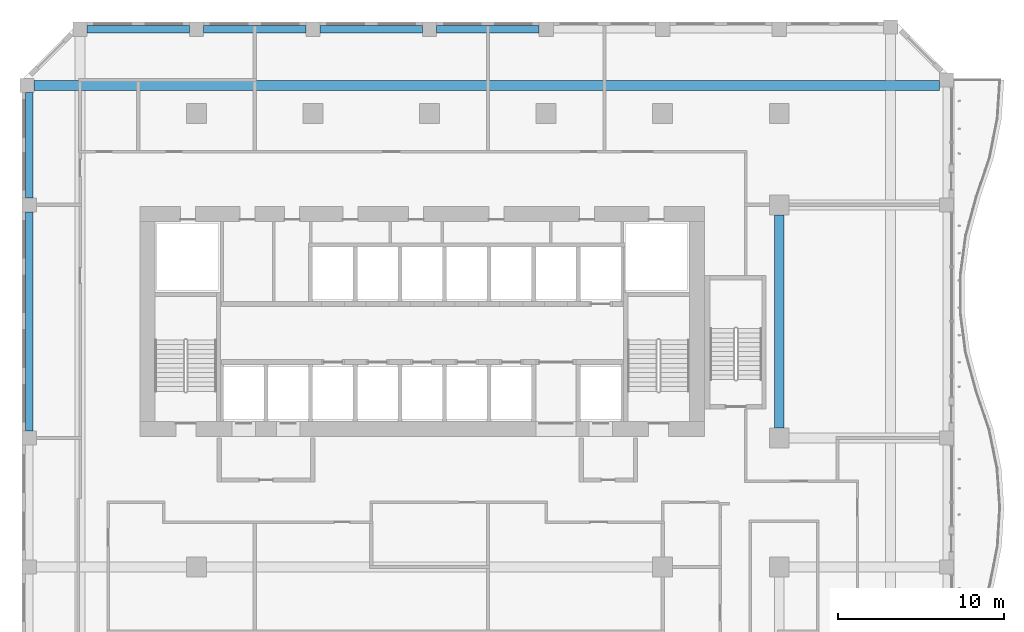
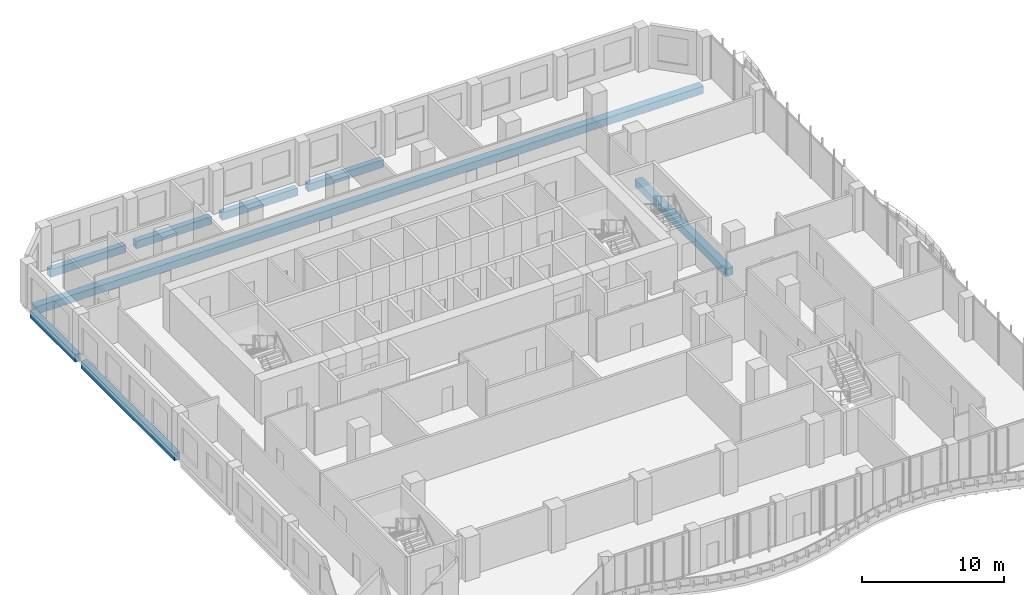
# One storey, part 9 of 27: 8 beams.
"""IFC4 building model written with IfcOpenShell, lengths in metres."""

from ifc_helpers import new_model, si_unit, direction, frame, origin, origin_2d, place, context, subcontext, project, spatial, rectangle, extrude, source, transform, mapped, material, material_profile, profile_set, type_object, element, save


model = new_model("IFC4")

# Units and contexts
model_context = context("Model", 3, precision=1e-05, world=origin(), true_north=direction((0.0, 1.0)))
body_context = subcontext(model_context, "Body", "Model", "MODEL_VIEW")
ifc_project = project(units=[si_unit("LENGTHUNIT", "METRE"), si_unit("AREAUNIT", "SQUARE_METRE"), si_unit("VOLUMEUNIT", "CUBIC_METRE"), si_unit("PLANEANGLEUNIT", "RADIAN"), si_unit("MASSUNIT", "GRAM", prefix="KILO")], contexts=[model_context])

# Site, building, storey
site_placement = place(None, origin())
site = spatial("IfcSite", under=ifc_project, at=site_placement, CompositionType="ELEMENT")
building_placement = place(site_placement, origin())
building = spatial("IfcBuilding", under=site, at=building_placement, Name="Kilnfold Tower and Market Hall", CompositionType="ELEMENT")
storey_placement = place(building_placement, frame((0.0, 0.0, 112.60009765625)))
storey = spatial("IfcBuildingStorey", under=building, at=storey_placement, Name="L26", CompositionType="ELEMENT", Elevation=112.60009765625)

# Beams
ifc_material_1 = material(Name="Concrete C45", Category="concrete")
ifc_material_profile_1 = material_profile(ifc_material_1, rectangle(XDim=0.449951171875, YDim=0.64990234375, at=origin_2d()), Name="RC 450x650")
ifc_profile_set_1 = profile_set([ifc_material_profile_1], Name="Concrete C45")
beam_type_1 = type_object("IfcBeamType", Name="EDGE BEAM 450X650 C45", PredefinedType="BEAM", material=ifc_profile_set_1)
shared_shape_1 = source(origin(), body_context, "Body", "SweptSolid", [
    extrude(rectangle(XDim=0.449951171875, YDim=0.64990234375, at=origin_2d()), origin(), (0.0, 0.0, 1.0), 6.14990234375),
])
for number, where, z_axis, x_axis, name in (
    (1, (-19.074951171875, 32.550048828125, -0.60498046875), (1.0, 0.0, 0.0), (0.0, 1.0, 0.0), "Beam EB650-B3.67"),
    (2, (-12.074951171875, 32.550048828125, -0.60498046875), (1.0, 0.0, 0.0), (0.0, 1.0, 0.0), "Beam EB650-B3.68"),
    (3, (-5.074951171875, 32.550048828125, -0.60498046875), (1.0, 0.0, 0.0), (0.0, 1.0, 0.0), "Beam EB650-B3.69"),
    (4, (1.925048828125, 32.550048828125, -0.60498046875), (1.0, 0.0, 0.0), (0.0, 1.0, 0.0), "Beam EB650-B3.70"),
):
    element("IfcBeam", number, at=place(storey_placement, frame(where, z_axis=z_axis, x_axis=x_axis)), inside=storey, type_object=beam_type_1, Name=name, PredefinedType="BEAM", context=body_context, shape_type="MappedRepresentation", body=[
        mapped(shared_shape_1, transform((0.0, 0.0, 0.0))),
    ])
ifc_material_2 = material(Name="Concrete C45", Category="concrete")
ifc_material_profile_2 = material_profile(ifc_material_2, rectangle(XDim=0.60009765625, YDim=0.64990234375, at=origin_2d()), Name="RC 600x650")
ifc_profile_set_2 = profile_set([ifc_material_profile_2], Name="Concrete C45")
beam_type_2 = type_object("IfcBeamType", Name="BEAM 600X650 C45", PredefinedType="BEAM", material=ifc_profile_set_2)
shared_shape_2 = source(origin(), body_context, "Body", "SweptSolid", [
    extrude(rectangle(XDim=0.60009765625, YDim=0.64990234375, at=origin_2d()), origin(), (0.0, 0.0, 1.0), 54.3818359375),
])
beam_1_placement = place(storey_placement, frame((-22.2568359375, 29.179931640625, -0.60498046875), z_axis=(1.0, 0.0, 0.0), x_axis=(0.0, 1.0, 0.0)))
element("IfcBeam", 5, at=beam_1_placement, inside=storey, type_object=beam_type_2, Name="Beam BB650-B3.66", PredefinedType="BEAM", context=body_context, shape_type="MappedRepresentation", body=[
    mapped(shared_shape_2, transform((0.0, 0.0, 0.0))),
])
shared_shape_3 = source(origin(), body_context, "Body", "SweptSolid", [
    extrude(rectangle(XDim=0.449951171875, YDim=0.64990234375, at=origin_2d()), origin(), (0.0, 0.0, 1.0), 13.14990234375),
])
beam_2_placement = place(storey_placement, frame((-22.550048828125, 8.425048828125, -0.60498046875), z_axis=(0.0, 1.0, 0.0), x_axis=(-1.0, 0.0, 0.0)))
element("IfcBeam", 6, at=beam_2_placement, inside=storey, type_object=beam_type_1, Name="Beam EB650-B3.77", PredefinedType="BEAM", context=body_context, shape_type="MappedRepresentation", body=[
    mapped(shared_shape_3, transform((0.0, 0.0, 0.0))),
])
shared_shape_4 = source(origin(), body_context, "Body", "SweptSolid", [
    extrude(rectangle(XDim=0.449951171875, YDim=0.64990234375, at=origin_2d()), origin(), (0.0, 0.0, 1.0), 6.331787109375),
])
beam_3_placement = place(storey_placement, frame((-22.550048828125, 22.425048828125, -0.60498046875), z_axis=(0.0, 1.0, 0.0), x_axis=(-1.0, 0.0, 0.0)))
element("IfcBeam", 7, at=beam_3_placement, inside=storey, type_object=beam_type_1, Name="Beam EB650-B3.78", PredefinedType="BEAM", context=body_context, shape_type="MappedRepresentation", body=[
    mapped(shared_shape_4, transform((0.0, 0.0, 0.0))),
])
shared_shape_5 = source(origin(), body_context, "Body", "SweptSolid", [
    extrude(rectangle(XDim=0.60009765625, YDim=0.64990234375, at=origin_2d()), origin(), (0.0, 0.0, 1.0), 12.7998046875),
])
beam_4_placement = place(storey_placement, frame((22.5, 8.60009765625, -0.60498046875), z_axis=(0.0, 1.0, 0.0), x_axis=(-1.0, 0.0, 0.0)))
element("IfcBeam", 8, at=beam_4_placement, inside=storey, type_object=beam_type_2, Name="Beam BB650-B3.81", PredefinedType="BEAM", context=body_context, shape_type="MappedRepresentation", body=[
    mapped(shared_shape_5, transform((0.0, 0.0, 0.0))),
])

save(model, "model.ifc")
